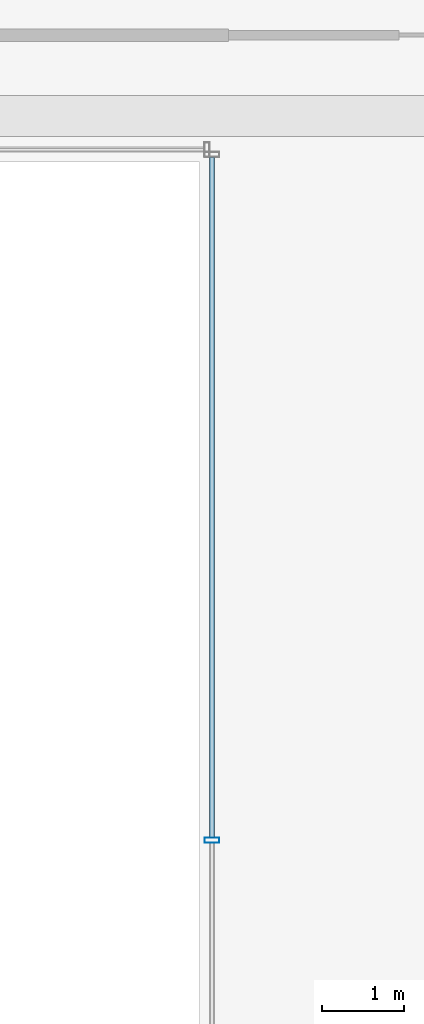
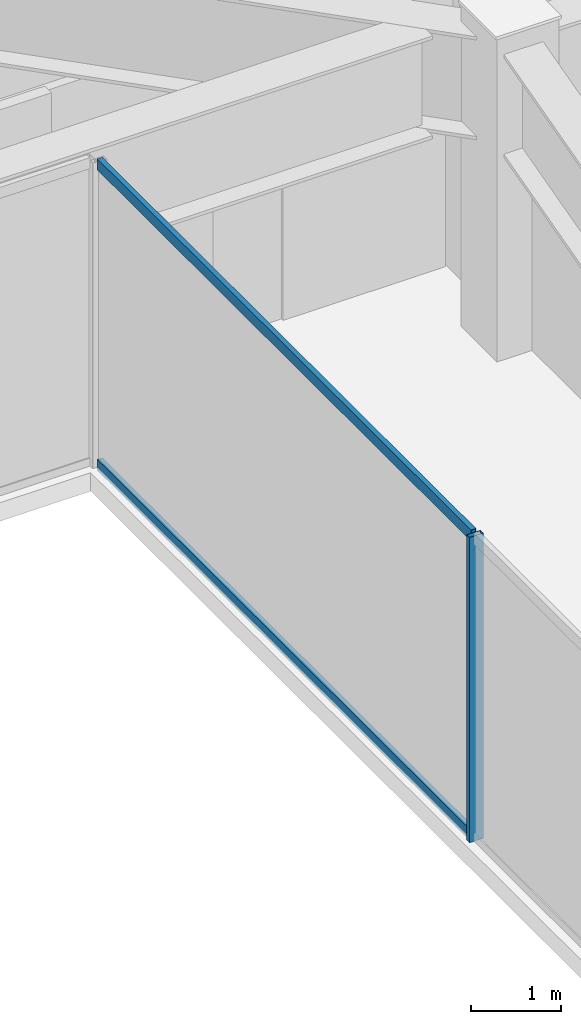
# One storey, part 15 of 40: 3 members, 1 element without a shape of its own.
"""IFC4 building model written with IfcOpenShell, lengths in metres."""

import ifcopenshell
import ifcopenshell.guid

model = None  # the IFC model being written
_history = None  # IfcOwnerHistory: only IFC2X3 demands one
_inside = {}  # id of a spatial element -> (the spatial element, [elements in it])
_under = {}  # id of a project, library or spatial element -> (it, [spatial elements below it])
_declared = {}  # id of a project -> (the project, [libraries it declares])
_typed = {}  # id of a type object -> (the type object, [elements of that type])
_made_of = {}  # id of a material, layer set ... -> (it, [elements and type objects made of it])


def new_model(schema):
    """Start an empty IFC model of exactly this schema.

    Asked for "IFC4X3", IfcOpenShell would pick the latest addendum, in which some entities
    have other attributes; the version numbers below select the first issue.
    IFC2X3 requires an IfcOwnerHistory on every rooted entity: one is made here for all.
    """
    global model, _history
    if schema == "IFC4X3":
        model = ifcopenshell.file(schema_version=(4, 3, 0, 0))
    else:
        model = ifcopenshell.file(schema=schema)
    _inside.clear()
    _under.clear()
    _declared.clear()
    _typed.clear()
    _made_of.clear()
    _history = None
    if model.schema == "IFC2X3":
        org = make("IfcOrganization", Name="unknown")
        user = make(
            "IfcPersonAndOrganization",
            ThePerson=make("IfcPerson", FamilyName="unknown"),
            TheOrganization=org,
        )
        app = make(
            "IfcApplication",
            ApplicationDeveloper=org,
            Version="unknown",
            ApplicationFullName="unknown",
            ApplicationIdentifier="unknown",
        )
        _history = make(
            "IfcOwnerHistory",
            OwningUser=user,
            OwningApplication=app,
            ChangeAction="ADDED",
            CreationDate=0,
        )
    return model


def make(cls, **values):
    """One entity of the class cls with the attributes given. An attribute that is None is left unset."""
    return model.create_entity(
        cls, **{name: value for name, value in values.items() if value is not None}
    )


def rooted(cls, **values):
    """An entity with a GlobalId (a new one), such as an element, a storey or a relation."""
    return make(cls, GlobalId=ifcopenshell.guid.new(), OwnerHistory=_history, **values)


def si_unit(unit_type, name, prefix=None):
    """IfcSIUnit, for example si_unit("LENGTHUNIT", "METRE", prefix="MILLI")."""
    return make("IfcSIUnit", UnitType=unit_type, Prefix=prefix, Name=name)


def assignment(units):
    """IfcUnitAssignment: the units of a project."""
    return None if units is None else make("IfcUnitAssignment", Units=units)


def point(xyz):
    """IfcCartesianPoint."""
    return None if xyz is None else make("IfcCartesianPoint", Coordinates=xyz)


def direction(xyz):
    """IfcDirection."""
    return None if xyz is None else make("IfcDirection", DirectionRatios=xyz)


def frame(location, z_axis=None, x_axis=None):
    """IfcAxis2Placement3D, a coordinate frame: its origin and axes. An axis left out is left unset."""
    return make(
        "IfcAxis2Placement3D",
        Location=point(location),
        Axis=direction(z_axis),
        RefDirection=direction(x_axis),
    )


def frame_2d(location, x_axis=None):
    """IfcAxis2Placement2D, a coordinate frame in the plane: its origin and x axis."""
    return make(
        "IfcAxis2Placement2D", Location=point(location), RefDirection=direction(x_axis)
    )


def origin():
    """The frame at (0, 0, 0) with its axes left unset."""
    return frame((0.0, 0.0, 0.0))


def origin_2d():
    """The frame at (0, 0) in the plane with its x axis left unset."""
    return frame_2d((0.0, 0.0))


def place(relative_to, where):
    """IfcLocalPlacement: puts the frame where relative to a parent placement (None: the world)."""
    return make(
        "IfcLocalPlacement", PlacementRelTo=relative_to, RelativePlacement=where
    )


def context(
    kind, dimensions, precision=None, world=None, true_north=None, identifier=None
):
    """IfcGeometricRepresentationContext, for example the 3D "Model" context."""
    return make(
        "IfcGeometricRepresentationContext",
        ContextIdentifier=identifier,
        ContextType=kind,
        CoordinateSpaceDimension=dimensions,
        Precision=precision,
        WorldCoordinateSystem=world,
        TrueNorth=true_north,
    )


def subcontext(parent, identifier, kind, view, scale=None):
    """IfcGeometricRepresentationSubContext, for example "Body" below "Model"."""
    return make(
        "IfcGeometricRepresentationSubContext",
        ContextIdentifier=identifier,
        ContextType=kind,
        ParentContext=parent,
        TargetScale=scale,
        TargetView=view,
    )


def project(units=None, contexts=None):
    """IfcProject with its units and contexts."""
    return rooted(
        "IfcProject",
        Name="project",
        RepresentationContexts=contexts,
        UnitsInContext=assignment(units),
    )


def spatial(cls, under=None, at=None, **own):
    """A site, building, storey or space (cls), placed at a placement, below another one or the project."""
    s = rooted(cls, ObjectPlacement=at, **own)
    if under is not None:
        _under.setdefault(under.id(), (under, []))[1].append(s)
    return s


def profile(cls, at=None, kind="AREA", **sizes):
    """A parametric profile (cls). Its sizes go by their IFC names, for example OverallWidth=200.0."""
    return make(cls, ProfileType=kind, Position=at, **sizes)


def hollow_rectangle(**sizes):
    """IfcRectangleHollowProfileDef."""
    return profile("IfcRectangleHollowProfileDef", **sizes)


def extrude(swept, where, along, depth):
    """IfcExtrudedAreaSolid: the profile swept, set in the frame where, extruded along a direction by depth."""
    return make(
        "IfcExtrudedAreaSolid",
        SweptArea=swept,
        Position=where,
        ExtrudedDirection=direction(along),
        Depth=depth,
    )


def shape(context_of_items, identifier, shape_type, items):
    """IfcShapeRepresentation: the items that make up one representation, for example the "Body"."""
    return make(
        "IfcShapeRepresentation",
        ContextOfItems=context_of_items,
        RepresentationIdentifier=identifier,
        RepresentationType=shape_type,
        Items=items,
    )


def material(Name=None, Category=None):
    """IfcMaterial."""
    return make("IfcMaterial", Name=Name, Category=Category)


def material_profile(
    of_material, cross_section, Name=None, Category=None, Priority=None
):
    """IfcMaterialProfile: a cross section and its material."""
    return make(
        "IfcMaterialProfile",
        Name=Name,
        Material=of_material,
        Profile=cross_section,
        Priority=Priority,
        Category=Category,
    )


def profile_set(profiles, Name=None, composite=None):
    """IfcMaterialProfileSet."""
    return make(
        "IfcMaterialProfileSet",
        Name=Name,
        MaterialProfiles=profiles,
        CompositeProfile=composite,
    )


def made_of(thing, what):
    """Note that an element or type object is made of a material, layer set ...; save() writes the relation."""
    if what is not None:
        _made_of.setdefault(what.id(), (what, []))[1].append(thing)
    return thing


def type_object(cls, material=None, **own):
    """A type object (cls), such as IfcWallType, which elements share."""
    return made_of(rooted(cls, **own), material)


def element(
    cls,
    number,
    at=None,
    inside=None,
    cuts=None,
    type_object=None,
    material=None,
    context=None,
    identifier="Body",
    shape_type=None,
    held_by="IfcProductDefinitionShape",
    body=None,
    shapes=None,
    **own,
):
    """One element of the class cls, such as IfcWall. Its Tag is "e" and its number.

    at: its placement. inside: the storey or other place that contains it. cuts: it is an
    opening in that element (IfcRelVoidsElement). A single representation is given by context,
    identifier, shape_type and body (its items); several are given by shapes. held_by: the class
    of the entity that holds the representations. save() writes the other relations.
    """
    e = rooted(cls, Tag="e%d" % number, ObjectPlacement=at, **own)
    if body is not None:
        shapes = [shape(context, identifier, shape_type, body)]
    if shapes is not None:
        e.Representation = make(held_by, Representations=shapes)
    if inside is not None:
        _inside.setdefault(inside.id(), (inside, []))[1].append(e)
    if cuts is not None:
        rooted(
            "IfcRelVoidsElement", RelatingBuildingElement=cuts, RelatedOpeningElement=e
        )
    if type_object is not None:
        _typed.setdefault(type_object.id(), (type_object, []))[1].append(e)
    return made_of(e, material)


def aggregate(whole, parts):
    """IfcRelAggregates: a whole, such as a stair, and the parts it consists of."""
    return rooted("IfcRelAggregates", RelatingObject=whole, RelatedObjects=parts)


def save(model, path):
    """Write the relations noted so far, then the file.

    IfcRelAggregates (storeys below a building ...), IfcRelContainedInSpatialStructure (elements
    in a storey), IfcRelDefinesByType, IfcRelAssociatesMaterial and IfcRelDeclares: one each for
    every whole, place, type object, material and project.
    """
    for whole, parts in _under.values():
        aggregate(whole, parts)
    for where, things in _inside.values():
        rooted(
            "IfcRelContainedInSpatialStructure",
            RelatedElements=things,
            RelatingStructure=where,
        )
    for kind, things in _typed.values():
        rooted("IfcRelDefinesByType", RelatedObjects=things, RelatingType=kind)
    for what, things in _made_of.values():
        rooted("IfcRelAssociatesMaterial", RelatedObjects=things, RelatingMaterial=what)
    for by, libraries in _declared.values():
        rooted("IfcRelDeclares", RelatingContext=by, RelatedDefinitions=libraries)
    model.write(path)


model = new_model("IFC4")

# Units and contexts
model_context = context("Model", 3, precision=1e-05, world=origin(), true_north=direction((0.0, 1.0)))
body_context = subcontext(model_context, "Body", "Model", "MODEL_VIEW")
ifc_project = project(units=[si_unit("LENGTHUNIT", "METRE"), si_unit("AREAUNIT", "SQUARE_METRE"), si_unit("VOLUMEUNIT", "CUBIC_METRE"), si_unit("PLANEANGLEUNIT", "RADIAN"), si_unit("MASSUNIT", "GRAM", prefix="KILO")], contexts=[model_context])

# Site, building, storey
site_placement = place(None, origin())
site = spatial("IfcSite", under=ifc_project, at=site_placement, CompositionType="ELEMENT")
building_placement = place(site_placement, origin())
building = spatial("IfcBuilding", under=site, at=building_placement, Name="Saevonmaru Cultural Tower", CompositionType="ELEMENT")
storey_placement = place(building_placement, frame((0.0, 0.0, 97.199951171875)))
storey = spatial("IfcBuildingStorey", under=building, at=storey_placement, Name="L20", CompositionType="ELEMENT", Elevation=97.199951171875)

# Curtain wall, members
ifc_material = material(Name="Satin Bronze Anodised Aluminium", Category="aluminium")
curtain_wall_type = type_object("IfcCurtainWallType", Name="CW-ATR-GLZ", PredefinedType="NOTDEFINED", material=ifc_material)
curtain_wall_placement = place(storey_placement, origin())
curtain_wall = element("IfcCurtainWall", 1, at=curtain_wall_placement, inside=storey, type_object=curtain_wall_type, Name="L20 Vertical Atrium Glazed Smoke Screen 2", PredefinedType="NOTDEFINED")
ifc_material_profile_1 = material_profile(ifc_material, hollow_rectangle(XDim=0.06494140625, YDim=0.179931640625, WallThickness=0.00390625, at=origin_2d()), Name="ALU-MULL-180x65x4")
ifc_profile_set_1 = profile_set([ifc_material_profile_1], Name="Satin Bronze Anodised Aluminium")
member_type_1 = type_object("IfcMemberType", Name="ML-CW-INT-180x65", PredefinedType="MULLION", material=ifc_profile_set_1)
member_1_placement = place(storey_placement, frame((35.949951171875, 29.300048828125, 0.0), z_axis=(0.0, 0.0, 1.0), x_axis=(0.0, 1.0, 0.0)))
member_1 = element("IfcMember", 2, at=member_1_placement, type_object=member_type_1, Name="CW-ATR-L20-2 mullion 2", PredefinedType="MULLION", context=body_context, shape_type="SweptSolid", body=[
    extrude(hollow_rectangle(XDim=0.06494140625, YDim=0.179931640625, WallThickness=0.00390625, at=origin_2d()), origin(), (0.0, 0.0, 1.0), 4.150146484375),
])
ifc_material_profile_2 = material_profile(ifc_material, hollow_rectangle(XDim=0.06494140625, YDim=0.14990234375, WallThickness=0.00390625, at=origin_2d()), Name="ALU-TRAN-150x65x4")
ifc_profile_set_2 = profile_set([ifc_material_profile_2], Name="Satin Bronze Anodised Aluminium")
member_type_2 = type_object("IfcMemberType", Name="TR-CW-INT-150x65", PredefinedType="USERDEFINED", material=ifc_profile_set_2)
member_2_placement = place(storey_placement, frame((35.949951171875, 29.33251953125, 0.032470703125), z_axis=(0.0, 1.0, 0.0), x_axis=(-1.0, 0.0, 0.0)))
member_2 = element("IfcMember", 3, at=member_2_placement, type_object=member_type_2, Name="CW-ATR-L20-2 transom 2.1", ObjectType="TRANSOM", PredefinedType="USERDEFINED", context=body_context, shape_type="SweptSolid", body=[
    extrude(hollow_rectangle(XDim=0.06494140625, YDim=0.14990234375, WallThickness=0.00390625, at=origin_2d()), origin(), (0.0, 0.0, 1.0), 8.324951171875),
])
member_3_placement = place(storey_placement, frame((35.949951171875, 29.33251953125, 4.117431640625), z_axis=(0.0, 1.0, 0.0), x_axis=(-1.0, 0.0, 0.0)))
member_3 = element("IfcMember", 4, at=member_3_placement, type_object=member_type_2, Name="CW-ATR-L20-2 transom 2.2", ObjectType="TRANSOM", PredefinedType="USERDEFINED", context=body_context, shape_type="SweptSolid", body=[
    extrude(hollow_rectangle(XDim=0.06494140625, YDim=0.14990234375, WallThickness=0.00390625, at=origin_2d()), origin(), (0.0, 0.0, 1.0), 8.324951171875),
])
aggregate(curtain_wall, [member_1, member_2, member_3])

save(model, "model.ifc")
